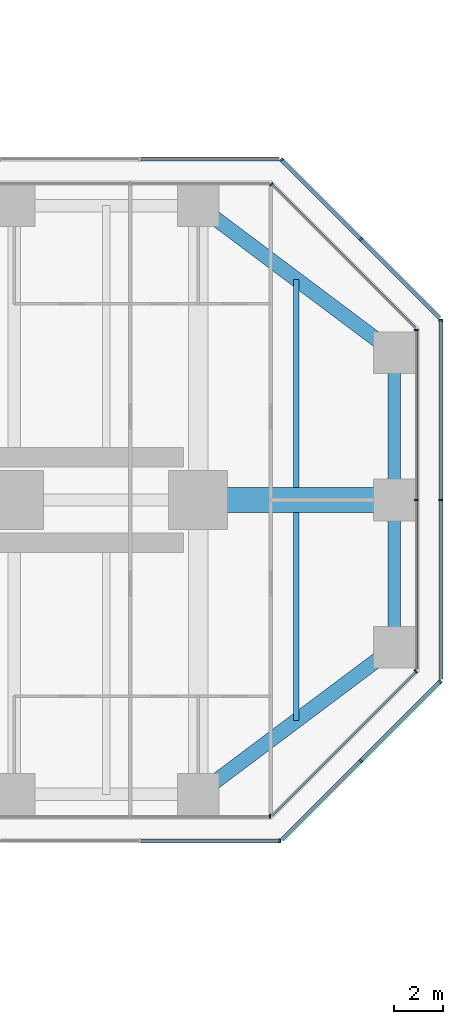
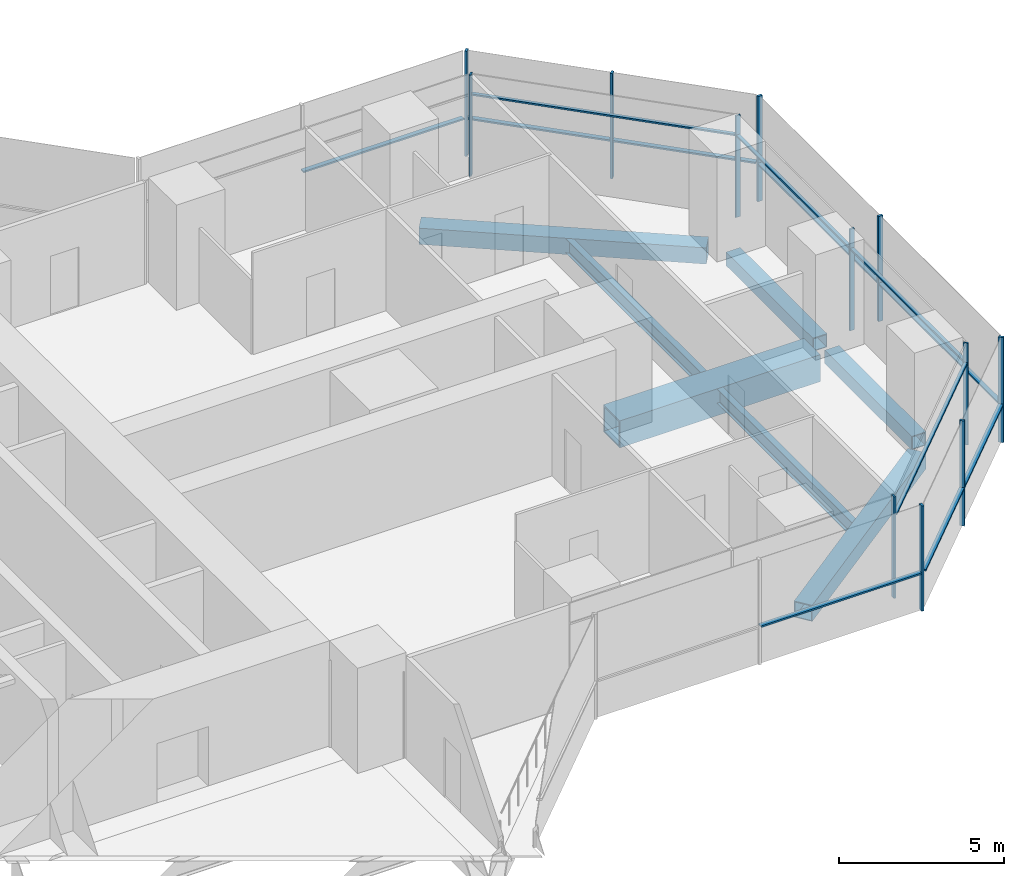
# One storey, part 11 of 20: 24 members, 7 beams, 9 elements without a shape of their own.
"""IFC4 building model written with IfcOpenShell, lengths in metres."""

from ifc_helpers import new_model, si_unit, direction, frame, origin, origin_2d, place, context, subcontext, project, spatial, rectangle, hollow_rectangle, i_section, extrude, material, material_profile, profile_set, type_object, element, aggregate, save


model = new_model("IFC4")

# Units and contexts
model_context = context("Model", 3, precision=1e-05, world=origin(), true_north=direction((0.0, 1.0)))
body_context = subcontext(model_context, "Body", "Model", "MODEL_VIEW")
ifc_project = project(units=[si_unit("LENGTHUNIT", "METRE"), si_unit("AREAUNIT", "SQUARE_METRE"), si_unit("VOLUMEUNIT", "CUBIC_METRE"), si_unit("PLANEANGLEUNIT", "RADIAN"), si_unit("MASSUNIT", "GRAM", prefix="KILO")], contexts=[model_context])

# Site, building, storey
site_placement = place(None, origin())
site = spatial("IfcSite", under=ifc_project, at=site_placement, CompositionType="ELEMENT")
building_placement = place(site_placement, origin())
building = spatial("IfcBuilding", under=site, at=building_placement, Name="Mizan Broadcast Tower", CompositionType="ELEMENT")
storey_placement = place(building_placement, frame((0.0, 0.0, 139.800048828125)))
storey = spatial("IfcBuildingStorey", under=building, at=storey_placement, Name="L31", CompositionType="ELEMENT", Elevation=139.800048828125)

# Beams
ifc_material_1 = material(Name="Steel S355", Category="steel")
ifc_material_profile_1 = material_profile(ifc_material_1, hollow_rectangle(XDim=0.5, YDim=0.5, WallThickness=0.030029296875, at=origin_2d()), Name="BOX 500x500x30")
ifc_profile_set_1 = profile_set([ifc_material_profile_1], Name="Steel S355")
beam_type_1 = type_object("IfcBeamType", Name="EDGE BEAM BOX 500x500x30", PredefinedType="SPANDREL", material=ifc_profile_set_1)
for number, where, z_axis, x_axis, name in (
    (1, (35.0, -5.639892578125, -0.380126953125), (0.0, 1.0, 0.0), (-1.0, 0.0, 0.0), "Edge beam BOX 500x500x30 L31 east arm"),
    (2, (35.0, 5.639892578125, -0.380126953125), (0.0, -1.0, 0.0), (1.0, 0.0, 0.0), "Edge beam BOX 500x500x30 L31 east arm"),
):
    element("IfcBeam", number, at=place(storey_placement, frame(where, z_axis=z_axis, x_axis=x_axis)), inside=storey, type_object=beam_type_1, Name=name, PredefinedType="SPANDREL", context=body_context, shape_type="SweptSolid", body=[
        extrude(hollow_rectangle(XDim=0.5, YDim=0.5, WallThickness=0.030029296875, at=origin_2d()), origin(), (0.0, 0.0, 1.0), 5.27978515625),
    ])
ifc_material_2 = material(Name="Steel S355", Category="steel")
ifc_material_profile_2 = material_profile(ifc_material_2, hollow_rectangle(XDim=0.60009765625, YDim=0.60009765625, WallThickness=0.030029296875, at=origin_2d()), Name="BOX 600x600x30")
ifc_profile_set_2 = profile_set([ifc_material_profile_2], Name="Steel S355")
beam_type_2 = type_object("IfcBeamType", Name="EDGE BEAM BOX 600x600x30", PredefinedType="SPANDREL", material=ifc_profile_set_2)
for number, where, z_axis, x_axis, name in (
    (3, (27.47998046875, -11.639892578125, -0.429931640625), (0.800013316712, 0.599982243973, 0.0), (-0.599982243973, 0.800013316712, 0.0), "Edge beam BOX 600x600x30 L31 east arm"),
    (4, (27.47998046875, 11.639892578125, -0.429931640625), (0.800013316712, -0.599982243973, 0.0), (0.599982243973, 0.800013316712, 0.0), "Edge beam BOX 600x600x30 L31 east arm"),
):
    element("IfcBeam", number, at=place(storey_placement, frame(where, z_axis=z_axis, x_axis=x_axis)), inside=storey, type_object=beam_type_2, Name=name, PredefinedType="SPANDREL", context=body_context, shape_type="SweptSolid", body=[
        extrude(hollow_rectangle(XDim=0.60009765625, YDim=0.60009765625, WallThickness=0.030029296875, at=origin_2d()), origin(), (0.0, 0.0, 1.0), 8.7998046875),
    ])
ifc_material_3 = material(Name="Steel S460", Category="steel")
ifc_material_profile_3 = material_profile(ifc_material_3, hollow_rectangle(XDim=1.0, YDim=1.0, WallThickness=0.06005859375, at=origin_2d()), Name="BOX 1000x1000x60")
ifc_profile_set_3 = profile_set([ifc_material_profile_3], Name="Steel S460")
beam_type_3 = type_object("IfcBeamType", Name="GIRDER BOX 1000x1000x60", PredefinedType="BEAM", material=ifc_profile_set_3)
beam_placement = place(storey_placement, frame((27.47998046875, 0.0, -0.630126953125), z_axis=(1.0, 0.0, 0.0), x_axis=(0.0, 1.0, 0.0)))
element("IfcBeam", 5, at=beam_placement, inside=storey, type_object=beam_type_3, Name="Girder BOX 1000x1000x60 L31 east arm", PredefinedType="BEAM", context=body_context, shape_type="SweptSolid", body=[
    extrude(hollow_rectangle(XDim=1.0, YDim=1.0, WallThickness=0.06005859375, at=origin_2d()), origin(), (0.0, 0.0, 1.0), 7.0400390625),
])

# Curtain wall, member
ifc_material_4 = material(Name="Aluminium framed glazing", Category="aluminium")
curtain_wall_type_1 = type_object("IfcCurtainWallType", Name="INNER SKIN MID ZONE", PredefinedType="USERDEFINED", material=ifc_material_4)
curtain_wall_1_placement = place(storey_placement, origin())
curtain_wall_1 = element("IfcCurtainWall", 6, at=curtain_wall_1_placement, inside=storey, type_object=curtain_wall_type_1, Name="Inner skin mid zone L31 E side", ObjectType="INNER SKIN MID ZONE", PredefinedType="USERDEFINED")
ifc_material_5 = material(Name="Aluminium, pale anodised", Category="aluminium")
ifc_material_profile_4 = material_profile(ifc_material_5, rectangle(XDim=0.159912109375, YDim=0.06005859375, at=origin_2d()), Name="MULLION 160x60")
ifc_profile_set_4 = profile_set([ifc_material_profile_4], Name="Aluminium, pale anodised")
member_type_1 = type_object("IfcMemberType", Name="INNER SKIN MULLION 60x160", PredefinedType="MULLION", material=ifc_profile_set_4)
member_1_placement = place(storey_placement, frame((29.928466796875, -12.89990234375, 0.0), z_axis=(0.0, 0.0, 1.0), x_axis=(0.0, 1.0, 0.0)))
member_1 = element("IfcMember", 7, at=member_1_placement, type_object=member_type_1, Name="Inner skin mid zone L31 E side mullion 3", PredefinedType="MULLION", context=body_context, shape_type="SweptSolid", body=[
    extrude(rectangle(XDim=0.159912109375, YDim=0.06005859375, at=origin_2d()), origin(), (0.0, 0.0, 1.0), 3.77001953125),
])
aggregate(curtain_wall_1, [member_1])

curtain_wall_2_placement = place(storey_placement, origin())
curtain_wall_2 = element("IfcCurtainWall", 8, at=curtain_wall_2_placement, inside=storey, type_object=curtain_wall_type_1, Name="Inner skin mid zone L31 E chamfer", ObjectType="INNER SKIN MID ZONE", PredefinedType="USERDEFINED")
member_2_placement = place(storey_placement, frame((35.87890625, -6.979736328125, 0.0), z_axis=(0.0, 0.0, 1.0), x_axis=(-0.707106781187, 0.707106781187, 0.0)))
member_2 = element("IfcMember", 9, at=member_2_placement, type_object=member_type_1, Name="Inner skin mid zone L31 E chamfer mullion 2", PredefinedType="MULLION", context=body_context, shape_type="SweptSolid", body=[
    extrude(rectangle(XDim=0.159912109375, YDim=0.06005859375, at=origin_2d()), origin(), (0.0, 0.0, 1.0), 3.77001953125),
])

# Curtain wall, members
curtain_wall_3_placement = place(storey_placement, origin())
curtain_wall_3 = element("IfcCurtainWall", 10, at=curtain_wall_3_placement, inside=storey, type_object=curtain_wall_type_1, Name="Inner skin mid zone L31 E end", ObjectType="INNER SKIN MID ZONE", PredefinedType="USERDEFINED")
member_3_placement = place(storey_placement, frame((35.89990234375, 0.0, 0.0), z_axis=(0.0, 0.0, 1.0), x_axis=(-1.0, 0.0, 0.0)))
member_3 = element("IfcMember", 11, at=member_3_placement, type_object=member_type_1, Name="Inner skin mid zone L31 E end mullion 2", PredefinedType="MULLION", context=body_context, shape_type="SweptSolid", body=[
    extrude(rectangle(XDim=0.159912109375, YDim=0.06005859375, at=origin_2d()), origin(), (0.0, 0.0, 1.0), 3.77001953125),
])
member_4_placement = place(storey_placement, frame((35.89990234375, 6.928466796875, 0.0), z_axis=(0.0, 0.0, 1.0), x_axis=(-1.0, 0.0, 0.0)))
member_4 = element("IfcMember", 12, at=member_4_placement, type_object=member_type_1, Name="Inner skin mid zone L31 E end mullion 3", PredefinedType="MULLION", context=body_context, shape_type="SweptSolid", body=[
    extrude(rectangle(XDim=0.159912109375, YDim=0.06005859375, at=origin_2d()), origin(), (0.0, 0.0, 1.0), 3.77001953125),
])

# Curtain wall, member
curtain_wall_4_placement = place(storey_placement, origin())
curtain_wall_4 = element("IfcCurtainWall", 13, at=curtain_wall_4_placement, inside=storey, type_object=curtain_wall_type_1, Name="Inner skin mid zone L31 E chamfer", ObjectType="INNER SKIN MID ZONE", PredefinedType="USERDEFINED")
member_5_placement = place(storey_placement, frame((29.979736328125, 12.87890625, 0.0), z_axis=(0.0, 0.0, 1.0), x_axis=(-0.707106781187, -0.707106781187, 0.0)))
member_5 = element("IfcMember", 14, at=member_5_placement, type_object=member_type_1, Name="Inner skin mid zone L31 E chamfer mullion 2", PredefinedType="MULLION", context=body_context, shape_type="SweptSolid", body=[
    extrude(rectangle(XDim=0.159912109375, YDim=0.06005859375, at=origin_2d()), origin(), (0.0, 0.0, 1.0), 3.77001953125),
])

# Member
ifc_material_6 = material(Name="Aluminium, pale anodised", Category="aluminium")
ifc_material_profile_5 = material_profile(ifc_material_6, rectangle(XDim=0.1201171875, YDim=0.06005859375, at=origin_2d()), Name="TRANSOM 120x60")
ifc_profile_set_5 = profile_set([ifc_material_profile_5], Name="Aluminium, pale anodised")
member_type_2 = type_object("IfcMemberType", Name="INNER SKIN TRANSOM 60x120", PredefinedType="USERDEFINED", material=ifc_profile_set_5)
member_6_placement = place(storey_placement, frame((30.0009765625, -12.857666015625, 3.030029296875), z_axis=(0.707106781187, 0.707106781187, 0.0), x_axis=(-0.707106781187, 0.707106781187, 0.0)))
member_6 = element("IfcMember", 15, at=member_6_placement, type_object=member_type_2, Name="Inner skin mid zone L31 E chamfer transom 1.1", ObjectType="TRANSOM", PredefinedType="USERDEFINED", context=body_context, shape_type="SweptSolid", body=[
    extrude(rectangle(XDim=0.1201171875, YDim=0.06005859375, at=origin_2d()), origin(), (0.0, 0.0, 1.0), 8.28271484375),
])

aggregate(curtain_wall_2, [member_2, member_6])

member_7_placement = place(storey_placement, frame((35.89990234375, -6.898681640625, 3.030029296875), z_axis=(0.0, 1.0, 0.0), x_axis=(-1.0, 0.0, 0.0)))
member_7 = element("IfcMember", 16, at=member_7_placement, type_object=member_type_2, Name="Inner skin mid zone L31 E end transom 1.1", ObjectType="TRANSOM", PredefinedType="USERDEFINED", context=body_context, shape_type="SweptSolid", body=[
    extrude(rectangle(XDim=0.1201171875, YDim=0.06005859375, at=origin_2d()), origin(), (0.0, 0.0, 1.0), 6.86865234375),
])

member_8_placement = place(storey_placement, frame((35.89990234375, 0.030029296875, 3.030029296875), z_axis=(0.0, 1.0, 0.0), x_axis=(-1.0, 0.0, 0.0)))
member_8 = element("IfcMember", 17, at=member_8_placement, type_object=member_type_2, Name="Inner skin mid zone L31 E end transom 2.1", ObjectType="TRANSOM", PredefinedType="USERDEFINED", context=body_context, shape_type="SweptSolid", body=[
    extrude(rectangle(XDim=0.1201171875, YDim=0.06005859375, at=origin_2d()), origin(), (0.0, 0.0, 1.0), 6.86865234375),
])

aggregate(curtain_wall_3, [member_3, member_4, member_7, member_8])

member_9_placement = place(storey_placement, frame((35.857666015625, 7.0009765625, 3.030029296875), z_axis=(-0.707106781187, 0.707106781187, 0.0), x_axis=(-0.707106781187, -0.707106781187, 0.0)))
member_9 = element("IfcMember", 18, at=member_9_placement, type_object=member_type_2, Name="Inner skin mid zone L31 E chamfer transom 1.1", ObjectType="TRANSOM", PredefinedType="USERDEFINED", context=body_context, shape_type="SweptSolid", body=[
    extrude(rectangle(XDim=0.1201171875, YDim=0.06005859375, at=origin_2d()), origin(), (0.0, 0.0, 1.0), 8.28271484375),
])

aggregate(curtain_wall_4, [member_5, member_9])

# Curtain wall, members
ifc_material_7 = material(Name="Aluminium framed glazing", Category="aluminium")
curtain_wall_type_2 = type_object("IfcCurtainWallType", Name="OUTER SKIN", PredefinedType="USERDEFINED", material=ifc_material_7)
curtain_wall_5_placement = place(storey_placement, origin())
curtain_wall_5 = element("IfcCurtainWall", 19, at=curtain_wall_5_placement, inside=storey, type_object=curtain_wall_type_2, Name="Outer skin L31 E chamfer", ObjectType="OUTER SKIN", PredefinedType="USERDEFINED")
ifc_material_8 = material(Name="Aluminium, pale anodised", Category="aluminium")
ifc_material_profile_6 = material_profile(ifc_material_8, rectangle(XDim=0.159912109375, YDim=0.080078125, at=origin_2d()), Name="MULLION 160x80")
ifc_profile_set_6 = profile_set([ifc_material_profile_6], Name="Aluminium, pale anodised")
member_type_3 = type_object("IfcMemberType", Name="OUTER SKIN MULLION 80x160", PredefinedType="MULLION", material=ifc_profile_set_6)
member_10_placement = place(storey_placement, frame((33.636474609375, -10.636474609375, 0.0), z_axis=(0.0, 0.0, 1.0), x_axis=(-0.707106781187, 0.707106781187, 0.0)))
member_10 = element("IfcMember", 20, at=member_10_placement, type_object=member_type_3, Name="Outer skin L31 E chamfer mullion 2", PredefinedType="MULLION", context=body_context, shape_type="SweptSolid", body=[
    extrude(rectangle(XDim=0.159912109375, YDim=0.080078125, at=origin_2d()), origin(), (0.0, 0.0, 1.0), 3.89990234375),
])
member_11_placement = place(storey_placement, frame((36.871826171875, -7.401123046875, 0.0), z_axis=(0.0, 0.0, 1.0), x_axis=(-0.707106781187, 0.707106781187, 0.0)))
member_11 = element("IfcMember", 21, at=member_11_placement, type_object=member_type_3, Name="Outer skin L31 E chamfer mullion 3", PredefinedType="MULLION", context=body_context, shape_type="SweptSolid", body=[
    extrude(rectangle(XDim=0.159912109375, YDim=0.080078125, at=origin_2d()), origin(), (0.0, 0.0, 1.0), 3.89990234375),
])

curtain_wall_6_placement = place(storey_placement, origin())
curtain_wall_6 = element("IfcCurtainWall", 22, at=curtain_wall_6_placement, inside=storey, type_object=curtain_wall_type_2, Name="Outer skin L31 E end", ObjectType="OUTER SKIN", PredefinedType="USERDEFINED")
member_12_placement = place(storey_placement, frame((36.89990234375, 0.0, 0.0), z_axis=(0.0, 0.0, 1.0), x_axis=(-1.0, 0.0, 0.0)))
member_12 = element("IfcMember", 23, at=member_12_placement, type_object=member_type_3, Name="Outer skin L31 E end mullion 2", PredefinedType="MULLION", context=body_context, shape_type="SweptSolid", body=[
    extrude(rectangle(XDim=0.159912109375, YDim=0.080078125, at=origin_2d()), origin(), (0.0, 0.0, 1.0), 3.89990234375),
])
member_13_placement = place(storey_placement, frame((36.89990234375, 7.332763671875, 0.0), z_axis=(0.0, 0.0, 1.0), x_axis=(-1.0, 0.0, 0.0)))
member_13 = element("IfcMember", 24, at=member_13_placement, type_object=member_type_3, Name="Outer skin L31 E end mullion 3", PredefinedType="MULLION", context=body_context, shape_type="SweptSolid", body=[
    extrude(rectangle(XDim=0.159912109375, YDim=0.080078125, at=origin_2d()), origin(), (0.0, 0.0, 1.0), 3.89990234375),
])

curtain_wall_7_placement = place(storey_placement, origin())
curtain_wall_7 = element("IfcCurtainWall", 25, at=curtain_wall_7_placement, inside=storey, type_object=curtain_wall_type_2, Name="Outer skin L31 E chamfer", ObjectType="OUTER SKIN", PredefinedType="USERDEFINED")
member_14_placement = place(storey_placement, frame((33.636474609375, 10.636474609375, 0.0), z_axis=(0.0, 0.0, 1.0), x_axis=(-0.707106781187, -0.707106781187, 0.0)))
member_14 = element("IfcMember", 26, at=member_14_placement, type_object=member_type_3, Name="Outer skin L31 E chamfer mullion 2", PredefinedType="MULLION", context=body_context, shape_type="SweptSolid", body=[
    extrude(rectangle(XDim=0.159912109375, YDim=0.080078125, at=origin_2d()), origin(), (0.0, 0.0, 1.0), 3.89990234375),
])
member_15_placement = place(storey_placement, frame((30.401123046875, 13.871826171875, 0.0), z_axis=(0.0, 0.0, 1.0), x_axis=(-0.707106781187, -0.707106781187, 0.0)))
member_15 = element("IfcMember", 27, at=member_15_placement, type_object=member_type_3, Name="Outer skin L31 E chamfer mullion 3", PredefinedType="MULLION", context=body_context, shape_type="SweptSolid", body=[
    extrude(rectangle(XDim=0.159912109375, YDim=0.080078125, at=origin_2d()), origin(), (0.0, 0.0, 1.0), 3.89990234375),
])

# Curtain wall, member
curtain_wall_8_placement = place(storey_placement, origin())
curtain_wall_8 = element("IfcCurtainWall", 28, at=curtain_wall_8_placement, inside=storey, type_object=curtain_wall_type_2, Name="Outer skin L31 E side", ObjectType="OUTER SKIN", PredefinedType="USERDEFINED")
member_16_placement = place(storey_placement, frame((30.332763671875, -13.89990234375, 0.0), z_axis=(0.0, 0.0, 1.0), x_axis=(0.0, 1.0, 0.0)))
member_16 = element("IfcMember", 29, at=member_16_placement, type_object=member_type_3, Name="Outer skin L31 E side mullion 3", PredefinedType="MULLION", context=body_context, shape_type="SweptSolid", body=[
    extrude(rectangle(XDim=0.159912109375, YDim=0.080078125, at=origin_2d()), origin(), (0.0, 0.0, 1.0), 3.89990234375),
])

# Member
ifc_material_9 = material(Name="Aluminium, pale anodised", Category="aluminium")
ifc_material_profile_7 = material_profile(ifc_material_9, rectangle(XDim=0.159912109375, YDim=0.06005859375, at=origin_2d()), Name="TRANSOM 160x60")
ifc_profile_set_7 = profile_set([ifc_material_profile_7], Name="Aluminium, pale anodised")
member_type_4 = type_object("IfcMemberType", Name="OUTER SKIN TRANSOM 60x160", PredefinedType="USERDEFINED", material=ifc_profile_set_7)
member_17_placement = place(storey_placement, frame((30.429443359375, -13.843505859375, 1.39990234375), z_axis=(0.707106781187, 0.707106781187, 0.0), x_axis=(-0.707106781187, 0.707106781187, 0.0)))
member_17 = element("IfcMember", 30, at=member_17_placement, type_object=member_type_4, Name="Outer skin L31 E chamfer transom 1.1", ObjectType="TRANSOM", PredefinedType="USERDEFINED", context=body_context, shape_type="SweptSolid", body=[
    extrude(rectangle(XDim=0.159912109375, YDim=0.06005859375, at=origin_2d()), origin(), (0.0, 0.0, 1.0), 4.495361328125),
])

member_18_placement = place(storey_placement, frame((33.664794921875, -10.608154296875, 1.39990234375), z_axis=(0.707106781187, 0.707106781187, 0.0), x_axis=(-0.707106781187, 0.707106781187, 0.0)))
member_18 = element("IfcMember", 31, at=member_18_placement, type_object=member_type_4, Name="Outer skin L31 E chamfer transom 2.1", ObjectType="TRANSOM", PredefinedType="USERDEFINED", context=body_context, shape_type="SweptSolid", body=[
    extrude(rectangle(XDim=0.159912109375, YDim=0.06005859375, at=origin_2d()), origin(), (0.0, 0.0, 1.0), 4.495361328125),
])

aggregate(curtain_wall_5, [member_10, member_11, member_17, member_18])

member_19_placement = place(storey_placement, frame((36.89990234375, -7.292724609375, 1.39990234375), z_axis=(0.0, 1.0, 0.0), x_axis=(-1.0, 0.0, 0.0)))
member_19 = element("IfcMember", 32, at=member_19_placement, type_object=member_type_4, Name="Outer skin L31 E end transom 1.1", ObjectType="TRANSOM", PredefinedType="USERDEFINED", context=body_context, shape_type="SweptSolid", body=[
    extrude(rectangle(XDim=0.159912109375, YDim=0.06005859375, at=origin_2d()), origin(), (0.0, 0.0, 1.0), 7.252685546875),
])

member_20_placement = place(storey_placement, frame((36.89990234375, 0.0400390625, 1.39990234375), z_axis=(0.0, 1.0, 0.0), x_axis=(-1.0, 0.0, 0.0)))
member_20 = element("IfcMember", 33, at=member_20_placement, type_object=member_type_4, Name="Outer skin L31 E end transom 2.1", ObjectType="TRANSOM", PredefinedType="USERDEFINED", context=body_context, shape_type="SweptSolid", body=[
    extrude(rectangle(XDim=0.159912109375, YDim=0.06005859375, at=origin_2d()), origin(), (0.0, 0.0, 1.0), 7.252685546875),
])

aggregate(curtain_wall_6, [member_12, member_13, member_19, member_20])

member_21_placement = place(storey_placement, frame((36.843505859375, 7.429443359375, 1.39990234375), z_axis=(-0.707106781187, 0.707106781187, 0.0), x_axis=(-0.707106781187, -0.707106781187, 0.0)))
member_21 = element("IfcMember", 34, at=member_21_placement, type_object=member_type_4, Name="Outer skin L31 E chamfer transom 1.1", ObjectType="TRANSOM", PredefinedType="USERDEFINED", context=body_context, shape_type="SweptSolid", body=[
    extrude(rectangle(XDim=0.159912109375, YDim=0.06005859375, at=origin_2d()), origin(), (0.0, 0.0, 1.0), 4.495361328125),
])

member_22_placement = place(storey_placement, frame((33.608154296875, 10.664794921875, 1.39990234375), z_axis=(-0.707106781187, 0.707106781187, 0.0), x_axis=(-0.707106781187, -0.707106781187, 0.0)))
member_22 = element("IfcMember", 35, at=member_22_placement, type_object=member_type_4, Name="Outer skin L31 E chamfer transom 2.1", ObjectType="TRANSOM", PredefinedType="USERDEFINED", context=body_context, shape_type="SweptSolid", body=[
    extrude(rectangle(XDim=0.159912109375, YDim=0.06005859375, at=origin_2d()), origin(), (0.0, 0.0, 1.0), 4.495361328125),
])

aggregate(curtain_wall_7, [member_14, member_15, member_21, member_22])

# Curtain wall, member
curtain_wall_9_placement = place(storey_placement, origin())
curtain_wall_9 = element("IfcCurtainWall", 36, at=curtain_wall_9_placement, inside=storey, type_object=curtain_wall_type_2, Name="Outer skin L31 E side", ObjectType="OUTER SKIN", PredefinedType="USERDEFINED")
member_23_placement = place(storey_placement, frame((30.292724609375, 13.89990234375, 1.39990234375), z_axis=(-1.0, 0.0, 0.0), x_axis=(0.0, -1.0, 0.0)))
member_23 = element("IfcMember", 37, at=member_23_placement, type_object=member_type_4, Name="Outer skin L31 E side transom 1.1", ObjectType="TRANSOM", PredefinedType="USERDEFINED", context=body_context, shape_type="SweptSolid", body=[
    extrude(rectangle(XDim=0.159912109375, YDim=0.06005859375, at=origin_2d()), origin(), (0.0, 0.0, 1.0), 5.6298828125),
])
aggregate(curtain_wall_9, [member_23])

# Member
member_24_placement = place(storey_placement, frame((24.662841796875, -13.89990234375, 1.39990234375), z_axis=(1.0, 0.0, 0.0), x_axis=(0.0, 1.0, 0.0)))
member_24 = element("IfcMember", 38, at=member_24_placement, type_object=member_type_4, Name="Outer skin L31 E side transom 2.1", ObjectType="TRANSOM", PredefinedType="USERDEFINED", context=body_context, shape_type="SweptSolid", body=[
    extrude(rectangle(XDim=0.159912109375, YDim=0.06005859375, at=origin_2d()), origin(), (0.0, 0.0, 1.0), 5.6298828125),
])

aggregate(curtain_wall_8, [member_16, member_24])

# Beams
ifc_material_10 = material(Name="Steel S355", Category="steel")
ifc_material_profile_8 = material_profile(ifc_material_10, i_section(OverallWidth=0.2099609375, OverallDepth=0.550048828125, WebThickness=0.010986328125, FlangeThickness=0.01708984375, FilletRadius=0.02392578125, at=origin_2d()), Name="IPE 550")
ifc_profile_set_8 = profile_set([ifc_material_profile_8], Name="Steel S355")
beam_type_4 = type_object("IfcBeamType", Name="SECONDARY BEAM IPE 550", PredefinedType="JOIST", material=ifc_profile_set_8)
for number, where, z_axis, x_axis, name in (
    (39, (31.0, -9.0, -0.405029296875), (0.0, 1.0, 0.0), (-1.0, 0.0, 0.0), "Secondary beam IPE 550 L31 east arm"),
    (40, (31.0, 9.0, -0.405029296875), (0.0, -1.0, 0.0), (1.0, 0.0, 0.0), "Secondary beam IPE 550 L31 east arm"),
):
    element("IfcBeam", number, at=place(storey_placement, frame(where, z_axis=z_axis, x_axis=x_axis)), inside=storey, type_object=beam_type_4, Name=name, PredefinedType="JOIST", context=body_context, shape_type="SweptSolid", body=[
        extrude(i_section(OverallWidth=0.2099609375, OverallDepth=0.550048828125, WebThickness=0.010986328125, FlangeThickness=0.01708984375, FilletRadius=0.02392578125, at=origin_2d()), origin(), (0.0, 0.0, 1.0), 8.5),
    ])

save(model, "model.ifc")
